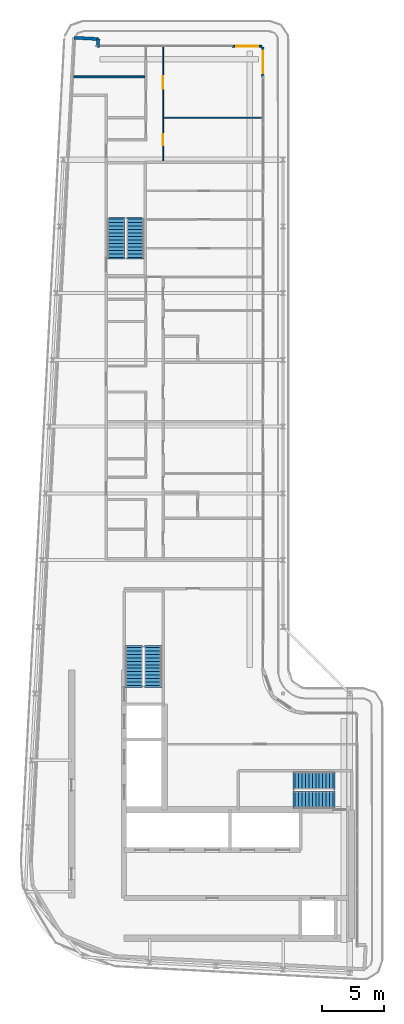
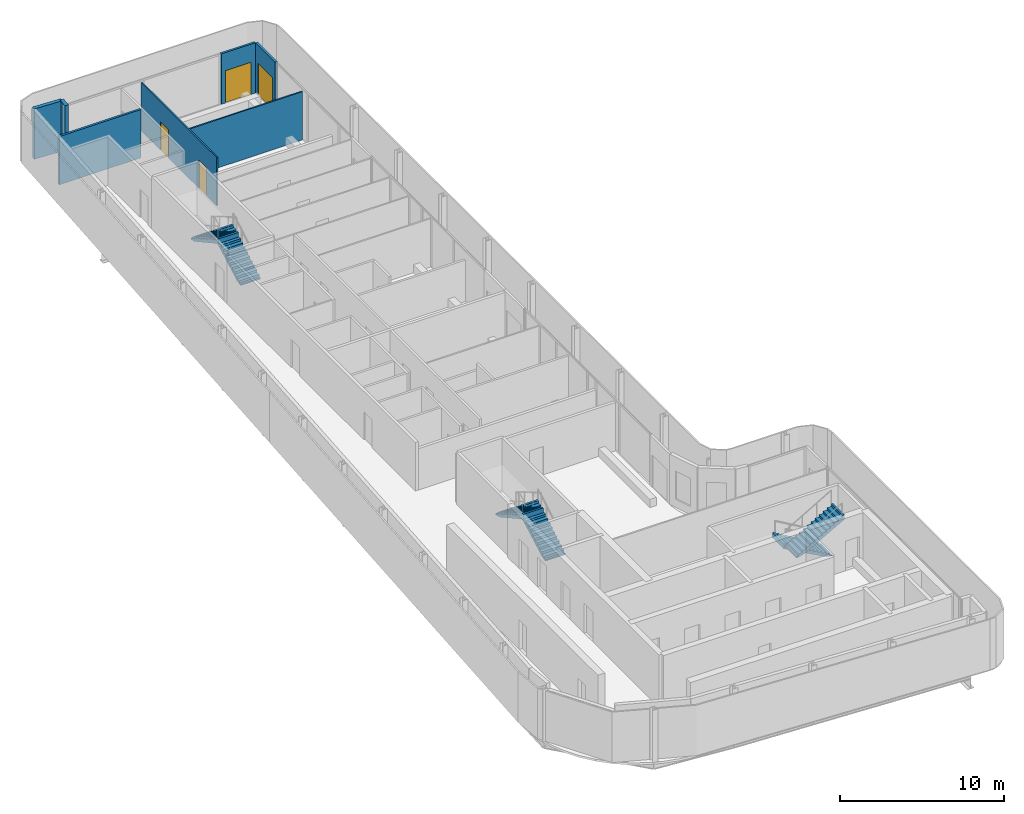
# One storey, part 12 of 18: 7 walls, 6 stair flights, 4 doors, 4 openings, 3 elements without a shape of their own.
"""IFC4 building model written with IfcOpenShell, lengths in metres."""

from ifc_helpers import new_model, si_unit, direction, frame, frame_2d, origin, place, context, subcontext, project, spatial, polyline, rectangle, outline, extrude, source, transform, mapped, material, layer, layer_set, type_object, element, fill, aggregate, save


model = new_model("IFC4")

# Units and contexts
model_context = context("Model", 3, precision=1e-05, world=origin(), true_north=direction((0.0, 1.0)))
body_context = subcontext(model_context, "Body", "Model", "MODEL_VIEW")
ifc_project = project(units=[si_unit("LENGTHUNIT", "METRE"), si_unit("AREAUNIT", "SQUARE_METRE"), si_unit("VOLUMEUNIT", "CUBIC_METRE"), si_unit("PLANEANGLEUNIT", "RADIAN"), si_unit("MASSUNIT", "GRAM", prefix="KILO")], contexts=[model_context])

# Site, building, storey
site_placement = place(None, origin())
site = spatial("IfcSite", under=ifc_project, at=site_placement, CompositionType="ELEMENT")
building_placement = place(site_placement, origin())
building = spatial("IfcBuilding", under=site, at=building_placement, Name="Kheshtan School and Residences Tower", CompositionType="ELEMENT")
storey_placement = place(building_placement, frame((0.0, 0.0, 373.39990234375)))
storey = spatial("IfcBuildingStorey", under=building, at=storey_placement, Name="L88", CompositionType="ELEMENT", Elevation=373.39990234375)

# Walls
ifc_material_1 = material(Name="Concrete C40/50 with ceramic cladding and mineral wool insulation", Category="concrete")
ifc_layer_1 = layer(ifc_material_1, 0.25)
ifc_layer_set_1 = layer_set([ifc_layer_1], Name="External wall 250 ceramic clad")
wall_type_1 = type_object("IfcWallType", Name="External wall 250 ceramic clad", PredefinedType="SOLIDWALL", material=ifc_layer_set_1)
wall_1_placement = place(storey_placement, frame((30.705078125, 98.6640625, 0.0), z_axis=(0.0, 0.0, 1.0), x_axis=(0.998577785791, -0.053314216913, 0.0)))
element("IfcWall", 1, at=wall_1_placement, inside=storey, type_object=wall_type_1, Name="External wall L88 5", PredefinedType="SOLIDWALL", context=body_context, shape_type="SweptSolid", body=[
    extrude(rectangle(XDim=1.95068359375, YDim=0.25, at=frame_2d((0.975341796875, 0.0))), origin(), (0.0, 0.0, 1.0), 3.75),
])
wall_2_placement = place(storey_placement, frame((32.653076171875, 98.56005859375, 0.0), z_axis=(0.0, 0.0, 1.0), x_axis=(-0.054093451632, -0.998535877418, 0.0)))
element("IfcWall", 2, at=wall_2_placement, inside=storey, type_object=wall_type_1, Name="External wall L88 6", PredefinedType="SOLIDWALL", context=body_context, shape_type="SweptSolid", body=[
    extrude(rectangle(XDim=0.66796875, YDim=0.25, at=frame_2d((0.333984375, 0.0))), origin(), (0.0, 0.0, 1.0), 3.75),
])

# Wall, opening, door
ifc_material_2 = material(Name="Aluminium frame wall with insulated infill", Category="aluminium")
ifc_layer_2 = layer(ifc_material_2, 0.14990234375)
ifc_layer_set_2 = layer_set([ifc_layer_2], Name="Glazing frame wall 150")
wall_type_2 = type_object("IfcWallType", Name="Glazing frame wall 150", PredefinedType="SOLIDWALL", material=ifc_layer_set_2)
wall_3_placement = place(storey_placement, frame((43.5, 97.97509765625, 0.0), z_axis=(0.0, 0.0, 1.0), x_axis=(1.0, 0.0, 0.0)))
wall_3 = element("IfcWall", 3, at=wall_3_placement, inside=storey, type_object=wall_type_2, Name="Balcony door wall L88 7.1", PredefinedType="SOLIDWALL", context=body_context, shape_type="SweptSolid", body=[
    extrude(rectangle(XDim=2.39990234375, YDim=0.14990234375, at=frame_2d((1.199951171875, 0.0))), origin(), (0.0, 0.0, 1.0), 3.75),
])
opening_1_placement = place(wall_3_placement, frame((0.300048828125, 0.0, 0.0)))
opening_1 = element("IfcOpeningElement", 4, at=opening_1_placement, cuts=wall_3, Name="Opening BD", PredefinedType="OPENING", context=body_context, shape_type="SweptSolid", body=[
    extrude(rectangle(XDim=1.800048828125, YDim=2.39990234375, at=frame_2d((0.89990234375, 1.199951171875))), frame((0.0, 0.0849609375, 0.0), z_axis=(0.0, -1.0, 0.0), x_axis=(1.0, 0.0, 0.0)), (0.0, 0.0, 1.0), 0.169921875),
])
ifc_material_3 = material(Name="Clear low-e glass in thermally broken aluminium frame", Category="aluminium")
door_type_1 = type_object("IfcDoorType", Name="Balcony sliding door", OperationType="SLIDING_TO_LEFT", PredefinedType="DOOR", material=ifc_material_3)
shared_shape_1 = source(origin(), body_context, "Body", "SweptSolid", [
    extrude(rectangle(XDim=1.800048828125, YDim=2.39990234375, at=frame_2d((0.89990234375, 1.199951171875))), frame((0.0, 0.02490234375, 0.0), z_axis=(0.0, -1.0, 0.0), x_axis=(1.0, 0.0, 0.0)), (0.0, 0.0, 1.0), 0.050048828125),
])
door_1_placement = place(opening_1_placement, origin())
door_1 = element("IfcDoor", 5, at=door_1_placement, inside=storey, type_object=door_type_1, Name="Balcony door L88 7.1", OperationType="SLIDING_TO_LEFT", OverallHeight=2.39990234375, OverallWidth=1.800048828125, PredefinedType="DOOR", context=body_context, shape_type="MappedRepresentation", body=[
    mapped(shared_shape_1, transform((0.0, 0.0, 0.0), x_axis=(1.0, 0.0, 0.0), y_axis=(0.0, 1.0, 0.0), z_axis=(0.0, 0.0, 1.0), scale=1.0)),
])
fill(opening_1, door_1)

wall_4_placement = place(storey_placement, frame((45.97509765625, 97.89990234375, 0.0), z_axis=(0.0, 0.0, 1.0), x_axis=(0.0, -1.0, 0.0)))
wall_4 = element("IfcWall", 6, at=wall_4_placement, inside=storey, type_object=wall_type_2, Name="Balcony door wall L88 8.1", PredefinedType="SOLIDWALL", context=body_context, shape_type="SweptSolid", body=[
    extrude(rectangle(XDim=2.39990234375, YDim=0.14990234375, at=frame_2d((1.199951171875, 0.0))), origin(), (0.0, 0.0, 1.0), 3.75),
])
opening_2_placement = place(wall_4_placement, frame((0.300048828125, 0.0, 0.0)))
opening_2 = element("IfcOpeningElement", 7, at=opening_2_placement, cuts=wall_4, Name="Opening BD", PredefinedType="OPENING", context=body_context, shape_type="SweptSolid", body=[
    extrude(rectangle(XDim=1.800048828125, YDim=2.39990234375, at=frame_2d((0.89990234375, 1.199951171875))), frame((0.0, 0.0849609375, 0.0), z_axis=(0.0, -1.0, 0.0), x_axis=(1.0, 0.0, 0.0)), (0.0, 0.0, 1.0), 0.169921875),
])
door_2_placement = place(opening_2_placement, origin())
door_2 = element("IfcDoor", 8, at=door_2_placement, inside=storey, type_object=door_type_1, Name="Balcony door L88 8.1", OperationType="SLIDING_TO_LEFT", OverallHeight=2.39990234375, OverallWidth=1.800048828125, PredefinedType="DOOR", context=body_context, shape_type="MappedRepresentation", body=[
    mapped(shared_shape_1, transform((0.0, 0.0, 0.0), x_axis=(1.0, 0.0, 0.0), y_axis=(0.0, 1.0, 0.0), z_axis=(0.0, 0.0, 1.0), scale=1.0)),
])
fill(opening_2, door_2)

# Wall, openings, doors
ifc_material_4 = material(Name="Gypsum board on steel studs", Category="steel")
ifc_layer_3 = layer(ifc_material_4, 0.10009765625)
ifc_layer_set_3 = layer_set([ifc_layer_3], Name="Gypsum partition 100")
wall_type_3 = type_object("IfcWallType", Name="Gypsum partition 100", PredefinedType="PARTITIONING", material=ifc_layer_set_3)
wall_5_placement = place(storey_placement, frame((37.89990234375, 88.699951171875, 0.0), z_axis=(0.0, 0.0, 1.0), x_axis=(0.0, 1.0, 0.0)))
wall_5 = element("IfcWall", 9, at=wall_5_placement, inside=storey, type_object=wall_type_3, Name="Partition L88-030", PredefinedType="PARTITIONING", context=body_context, shape_type="SweptSolid", body=[
    extrude(rectangle(XDim=9.199951171875, YDim=0.10009765625, at=frame_2d((4.60009765625, 0.0))), origin(), (0.0, 0.0, 1.0), 3.60009765625),
])
opening_3_placement = place(wall_5_placement, frame((1.25, 0.0, 0.0)))
opening_3 = element("IfcOpeningElement", 10, at=opening_3_placement, cuts=wall_5, Name="Opening D87-024", PredefinedType="OPENING", context=body_context, shape_type="SweptSolid", body=[
    extrude(rectangle(XDim=0.89990234375, YDim=2.10009765625, at=frame_2d((0.449951171875, 1.050048828125))), frame((0.0, 0.06005859375, 0.0), z_axis=(0.0, -1.0, 0.0), x_axis=(1.0, 0.0, 0.0)), (0.0, 0.0, 1.0), 0.1201171875),
])
opening_4_placement = place(wall_5_placement, frame((5.85009765625, 0.0, 0.0)))
opening_4 = element("IfcOpeningElement", 11, at=opening_4_placement, cuts=wall_5, Name="Opening D87-027", PredefinedType="OPENING", context=body_context, shape_type="SweptSolid", body=[
    extrude(rectangle(XDim=1.0, YDim=2.10009765625, at=frame_2d((0.5, 1.050048828125))), frame((0.0, 0.06005859375, 0.0), z_axis=(0.0, -1.0, 0.0), x_axis=(1.0, 0.0, 0.0)), (0.0, 0.0, 1.0), 0.1201171875),
])
ifc_material_5 = material(Name="Veneered timber door leaf", Category="wood")
door_type_2 = type_object("IfcDoorType", Name="Door 1000 x 2100", OperationType="SINGLE_SWING_LEFT", PredefinedType="DOOR", material=ifc_material_5)
shared_shape_2 = source(origin(), body_context, "Body", "SweptSolid", [
    extrude(rectangle(XDim=1.0, YDim=2.10009765625, at=frame_2d((0.5, 1.050048828125))), frame((0.0, 0.02490234375, 0.0), z_axis=(0.0, -1.0, 0.0), x_axis=(1.0, 0.0, 0.0)), (0.0, 0.0, 1.0), 0.050048828125),
])
door_3_placement = place(opening_4_placement, origin())
door_3 = element("IfcDoor", 12, at=door_3_placement, inside=storey, type_object=door_type_2, Name="Door D87-027", OperationType="SINGLE_SWING_RIGHT", OverallHeight=2.10009765625, OverallWidth=1.0, PredefinedType="DOOR", context=body_context, shape_type="MappedRepresentation", body=[
    mapped(shared_shape_2, transform((0.0, 0.0, 0.0), x_axis=(1.0, 0.0, 0.0), y_axis=(0.0, 1.0, 0.0), z_axis=(0.0, 0.0, 1.0), scale=1.0)),
])
fill(opening_4, door_3)
door_type_3 = type_object("IfcDoorType", Name="Door 900 x 2100", OperationType="SINGLE_SWING_LEFT", PredefinedType="DOOR", material=ifc_material_5)
shared_shape_3 = source(origin(), body_context, "Body", "SweptSolid", [
    extrude(rectangle(XDim=0.89990234375, YDim=2.10009765625, at=frame_2d((0.449951171875, 1.050048828125))), frame((0.0, 0.02490234375, 0.0), z_axis=(0.0, -1.0, 0.0), x_axis=(1.0, 0.0, 0.0)), (0.0, 0.0, 1.0), 0.050048828125),
])
door_4_placement = place(opening_3_placement, origin())
door_4 = element("IfcDoor", 13, at=door_4_placement, inside=storey, type_object=door_type_3, Name="Door D87-024", OperationType="SINGLE_SWING_LEFT", OverallHeight=2.10009765625, OverallWidth=0.89990234375, PredefinedType="DOOR", context=body_context, shape_type="MappedRepresentation", body=[
    mapped(shared_shape_3, transform((0.0, 0.0, 0.0), x_axis=(1.0, 0.0, 0.0), y_axis=(0.0, 1.0, 0.0), z_axis=(0.0, 0.0, 1.0), scale=1.0)),
])
fill(opening_3, door_4)

# Walls
wall_6_placement = place(storey_placement, frame((37.949951171875, 92.199951171875, 0.0), z_axis=(0.0, 0.0, 1.0), x_axis=(1.0, 0.0, 0.0)))
element("IfcWall", 14, at=wall_6_placement, inside=storey, type_object=wall_type_3, Name="Partition L88-031", PredefinedType="PARTITIONING", context=body_context, shape_type="SweptSolid", body=[
    extrude(rectangle(XDim=7.949951171875, YDim=0.10009765625, at=frame_2d((3.97509765625, 0.0))), origin(), (0.0, 0.0, 1.0), 3.60009765625),
])
ifc_material_6 = material(Name="Moisture-resistant gypsum board on steel studs", Category="steel")
ifc_layer_4 = layer(ifc_material_6, 0.14990234375)
ifc_layer_set_4 = layer_set([ifc_layer_4], Name="Wet-room partition 150")
wall_type_4 = type_object("IfcWallType", Name="Wet-room partition 150", PredefinedType="PARTITIONING", material=ifc_layer_set_4)
wall_7_placement = place(storey_placement, frame((30.6640625, 95.5, 0.0), z_axis=(0.0, 0.0, 1.0), x_axis=(1.0, 0.0, 0.0)))
element("IfcWall", 15, at=wall_7_placement, inside=storey, type_object=wall_type_4, Name="Partition L88-001", PredefinedType="PARTITIONING", context=body_context, shape_type="SweptSolid", body=[
    extrude(rectangle(XDim=5.760986328125, YDim=0.14990234375, at=frame_2d((2.88037109375, 0.0))), origin(), (0.0, 0.0, 1.0), 3.60009765625),
])

# Stair, stair flights
ifc_material_7 = material(Name="Concrete C40/50", Category="concrete")
stair_type = type_object("IfcStairType", Name="Exit stair, half-turn", PredefinedType="HALF_TURN_STAIR", material=ifc_material_7)
stair_1_placement = place(storey_placement, origin())
stair_1 = element("IfcStair", 16, at=stair_1_placement, inside=storey, type_object=stair_type, Name="L88 Protected Exit Stair ST1", PredefinedType="HALF_TURN_STAIR")
ifc_layer_5 = layer(ifc_material_7, 0.14990234375)
ifc_layer_set_5 = layer_set([ifc_layer_5], Name="Stair flight 1400 Concrete C40/50")
stair_flight_type = type_object("IfcStairFlightType", Name="Stair flight 1400 Concrete C40/50", PredefinedType="STRAIGHT", material=ifc_layer_set_5)
stair_flight_1_placement = place(storey_placement, frame((51.64990234375, 38.550048828125, 0.0), z_axis=(0.0, 0.0, 1.0), x_axis=(-1.0, 0.0, 0.0)))
stair_flight_1 = element("IfcStairFlight", 17, at=stair_flight_1_placement, type_object=stair_flight_type, Name="ST1 flight 1", NumberOfRisers=12, NumberOfTreads=11, PredefinedType="STRAIGHT", RiserHeight=0.1625, TreadLength=0.28, context=body_context, shape_type="SweptSolid", body=[
    extrude(outline(polyline([(-0.14990234375, -0.10009765625), (-0.14990234375, 0.0), (0.0, 0.0), (0.0, 0.16259765625), (0.280029296875, 0.16259765625), (0.280029296875, 0.324951171875), (0.56005859375, 0.324951171875), (0.56005859375, 0.487548828125), (0.840087890625, 0.487548828125), (0.840087890625, 0.64990234375), (1.1201171875, 0.64990234375), (1.1201171875, 0.8125), (1.39990234375, 0.8125), (1.39990234375, 0.97509765625), (1.679931640625, 0.97509765625), (1.679931640625, 1.137451171875), (1.9599609375, 1.137451171875), (1.9599609375, 1.300048828125), (2.239990234375, 1.300048828125), (2.239990234375, 1.46240234375), (2.52001953125, 1.46240234375), (2.52001953125, 1.625), (2.800048828125, 1.625), (2.800048828125, 1.78759765625), (3.080078125, 1.78759765625), (3.080078125, 1.949951171875), (3.080078125, 1.969970703125), (3.22998046875, 1.969970703125), (3.22998046875, 1.6142578125), (0.298583984375, 0.0), (-0.14990234375, -0.10009765625)])), frame((0.0, 0.699951171875, 0.0), z_axis=(0.0, -1.0, 0.0), x_axis=(1.0, 0.0, 0.0)), (0.0, 0.0, 1.0), 1.39990234375),
])
stair_flight_2_placement = place(storey_placement, frame((48.570068359375, 37.0, 1.9501953125), z_axis=(0.0, 0.0, 1.0), x_axis=(1.0, 0.0, 0.0)))
stair_flight_2 = element("IfcStairFlight", 18, at=stair_flight_2_placement, type_object=stair_flight_type, Name="ST1 flight 2", NumberOfRisers=12, NumberOfTreads=11, PredefinedType="STRAIGHT", RiserHeight=0.1625, TreadLength=0.28, context=body_context, shape_type="SweptSolid", body=[
    extrude(outline(polyline([(-0.14990234375, -0.10009765625), (-0.14990234375, 0.0), (0.0, 0.0), (0.0, 0.16259765625), (0.280029296875, 0.16259765625), (0.280029296875, 0.324951171875), (0.56005859375, 0.324951171875), (0.56005859375, 0.487548828125), (0.840087890625, 0.487548828125), (0.840087890625, 0.64990234375), (1.1201171875, 0.64990234375), (1.1201171875, 0.8125), (1.39990234375, 0.8125), (1.39990234375, 0.97509765625), (1.679931640625, 0.97509765625), (1.679931640625, 1.137451171875), (1.9599609375, 1.137451171875), (1.9599609375, 1.300048828125), (2.239990234375, 1.300048828125), (2.239990234375, 1.46240234375), (2.52001953125, 1.46240234375), (2.52001953125, 1.625), (2.800048828125, 1.625), (2.800048828125, 1.78759765625), (3.080078125, 1.78759765625), (3.080078125, 1.949951171875), (3.080078125, 1.969970703125), (3.22998046875, 1.969970703125), (3.22998046875, 1.6142578125), (0.298583984375, 0.0), (-0.14990234375, -0.10009765625)])), frame((0.0, 0.699951171875, 0.0), z_axis=(0.0, -1.0, 0.0), x_axis=(1.0, 0.0, 0.0)), (0.0, 0.0, 1.0), 1.39990234375),
])
aggregate(stair_1, [stair_flight_1, stair_flight_2])

stair_2_placement = place(storey_placement, origin())
stair_2 = element("IfcStair", 19, at=stair_2_placement, inside=storey, type_object=stair_type, Name="L88 Protected Exit Stair ST2", PredefinedType="HALF_TURN_STAIR")
stair_flight_3_placement = place(storey_placement, frame((37.10009765625, 46.25, 0.0), z_axis=(0.0, 0.0, 1.0), x_axis=(0.0, 1.0, 0.0)))
stair_flight_3 = element("IfcStairFlight", 20, at=stair_flight_3_placement, type_object=stair_flight_type, Name="ST2 flight 1", NumberOfRisers=12, NumberOfTreads=11, PredefinedType="STRAIGHT", RiserHeight=0.1625, TreadLength=0.28, context=body_context, shape_type="SweptSolid", body=[
    extrude(outline(polyline([(-0.14990234375, -0.10009765625), (-0.14990234375, 0.0), (0.0, 0.0), (0.0, 0.16259765625), (0.280029296875, 0.16259765625), (0.280029296875, 0.324951171875), (0.56005859375, 0.324951171875), (0.56005859375, 0.487548828125), (0.840087890625, 0.487548828125), (0.840087890625, 0.64990234375), (1.1201171875, 0.64990234375), (1.1201171875, 0.8125), (1.39990234375, 0.8125), (1.39990234375, 0.97509765625), (1.679931640625, 0.97509765625), (1.679931640625, 1.137451171875), (1.9599609375, 1.137451171875), (1.9599609375, 1.300048828125), (2.239990234375, 1.300048828125), (2.239990234375, 1.46240234375), (2.52001953125, 1.46240234375), (2.52001953125, 1.625), (2.800048828125, 1.625), (2.800048828125, 1.78759765625), (3.080078125, 1.78759765625), (3.080078125, 1.949951171875), (3.080078125, 1.969970703125), (3.22998046875, 1.969970703125), (3.22998046875, 1.6142578125), (0.298583984375, 0.0), (-0.14990234375, -0.10009765625)])), frame((0.0, 0.699951171875, 0.0), z_axis=(0.0, -1.0, 0.0), x_axis=(1.0, 0.0, 0.0)), (0.0, 0.0, 1.0), 1.39990234375),
])
stair_flight_4_placement = place(storey_placement, frame((35.550048828125, 49.330078125, 1.9501953125), z_axis=(0.0, 0.0, 1.0), x_axis=(0.0, -1.0, 0.0)))
stair_flight_4 = element("IfcStairFlight", 21, at=stair_flight_4_placement, type_object=stair_flight_type, Name="ST2 flight 2", NumberOfRisers=12, NumberOfTreads=11, PredefinedType="STRAIGHT", RiserHeight=0.1625, TreadLength=0.28, context=body_context, shape_type="SweptSolid", body=[
    extrude(outline(polyline([(-0.14990234375, -0.10009765625), (-0.14990234375, 0.0), (0.0, 0.0), (0.0, 0.16259765625), (0.280029296875, 0.16259765625), (0.280029296875, 0.324951171875), (0.56005859375, 0.324951171875), (0.56005859375, 0.487548828125), (0.840087890625, 0.487548828125), (0.840087890625, 0.64990234375), (1.1201171875, 0.64990234375), (1.1201171875, 0.8125), (1.39990234375, 0.8125), (1.39990234375, 0.97509765625), (1.679931640625, 0.97509765625), (1.679931640625, 1.137451171875), (1.9599609375, 1.137451171875), (1.9599609375, 1.300048828125), (2.239990234375, 1.300048828125), (2.239990234375, 1.46240234375), (2.52001953125, 1.46240234375), (2.52001953125, 1.625), (2.800048828125, 1.625), (2.800048828125, 1.78759765625), (3.080078125, 1.78759765625), (3.080078125, 1.949951171875), (3.080078125, 1.969970703125), (3.22998046875, 1.969970703125), (3.22998046875, 1.6142578125), (0.298583984375, 0.0), (-0.14990234375, -0.10009765625)])), frame((0.0, 0.699951171875, 0.0), z_axis=(0.0, -1.0, 0.0), x_axis=(1.0, 0.0, 0.0)), (0.0, 0.0, 1.0), 1.39990234375),
])
aggregate(stair_2, [stair_flight_3, stair_flight_4])

stair_3_placement = place(storey_placement, origin())
stair_3 = element("IfcStair", 22, at=stair_3_placement, inside=storey, type_object=stair_type, Name="L88 Protected Exit Stair ST3", PredefinedType="HALF_TURN_STAIR")
stair_flight_5_placement = place(storey_placement, frame((35.64990234375, 80.89990234375, 0.0), z_axis=(0.0, 0.0, 1.0), x_axis=(0.0, 1.0, 0.0)))
stair_flight_5 = element("IfcStairFlight", 23, at=stair_flight_5_placement, type_object=stair_flight_type, Name="ST3 flight 1", NumberOfRisers=12, NumberOfTreads=11, PredefinedType="STRAIGHT", RiserHeight=0.1625, TreadLength=0.28, context=body_context, shape_type="SweptSolid", body=[
    extrude(outline(polyline([(-0.14990234375, -0.10009765625), (-0.14990234375, 0.0), (0.0, 0.0), (0.0, 0.16259765625), (0.280029296875, 0.16259765625), (0.280029296875, 0.324951171875), (0.56005859375, 0.324951171875), (0.56005859375, 0.487548828125), (0.840087890625, 0.487548828125), (0.840087890625, 0.64990234375), (1.1201171875, 0.64990234375), (1.1201171875, 0.8125), (1.39990234375, 0.8125), (1.39990234375, 0.97509765625), (1.679931640625, 0.97509765625), (1.679931640625, 1.137451171875), (1.9599609375, 1.137451171875), (1.9599609375, 1.300048828125), (2.239990234375, 1.300048828125), (2.239990234375, 1.46240234375), (2.52001953125, 1.46240234375), (2.52001953125, 1.625), (2.800048828125, 1.625), (2.800048828125, 1.78759765625), (3.080078125, 1.78759765625), (3.080078125, 1.949951171875), (3.080078125, 1.969970703125), (3.22998046875, 1.969970703125), (3.22998046875, 1.6142578125), (0.298583984375, 0.0), (-0.14990234375, -0.10009765625)])), frame((0.0, 0.699951171875, 0.0), z_axis=(0.0, -1.0, 0.0), x_axis=(1.0, 0.0, 0.0)), (0.0, 0.0, 1.0), 1.39990234375),
])
stair_flight_6_placement = place(storey_placement, frame((34.10009765625, 83.97998046875, 1.9501953125), z_axis=(0.0, 0.0, 1.0), x_axis=(0.0, -1.0, 0.0)))
stair_flight_6 = element("IfcStairFlight", 24, at=stair_flight_6_placement, type_object=stair_flight_type, Name="ST3 flight 2", NumberOfRisers=12, NumberOfTreads=11, PredefinedType="STRAIGHT", RiserHeight=0.1625, TreadLength=0.28, context=body_context, shape_type="SweptSolid", body=[
    extrude(outline(polyline([(-0.14990234375, -0.10009765625), (-0.14990234375, 0.0), (0.0, 0.0), (0.0, 0.16259765625), (0.280029296875, 0.16259765625), (0.280029296875, 0.324951171875), (0.56005859375, 0.324951171875), (0.56005859375, 0.487548828125), (0.840087890625, 0.487548828125), (0.840087890625, 0.64990234375), (1.1201171875, 0.64990234375), (1.1201171875, 0.8125), (1.39990234375, 0.8125), (1.39990234375, 0.97509765625), (1.679931640625, 0.97509765625), (1.679931640625, 1.137451171875), (1.9599609375, 1.137451171875), (1.9599609375, 1.300048828125), (2.239990234375, 1.300048828125), (2.239990234375, 1.46240234375), (2.52001953125, 1.46240234375), (2.52001953125, 1.625), (2.800048828125, 1.625), (2.800048828125, 1.78759765625), (3.080078125, 1.78759765625), (3.080078125, 1.949951171875), (3.080078125, 1.969970703125), (3.22998046875, 1.969970703125), (3.22998046875, 1.6142578125), (0.298583984375, 0.0), (-0.14990234375, -0.10009765625)])), frame((0.0, 0.699951171875, 0.0), z_axis=(0.0, -1.0, 0.0), x_axis=(1.0, 0.0, 0.0)), (0.0, 0.0, 1.0), 1.39990234375),
])
aggregate(stair_3, [stair_flight_5, stair_flight_6])

save(model, "model.ifc")
